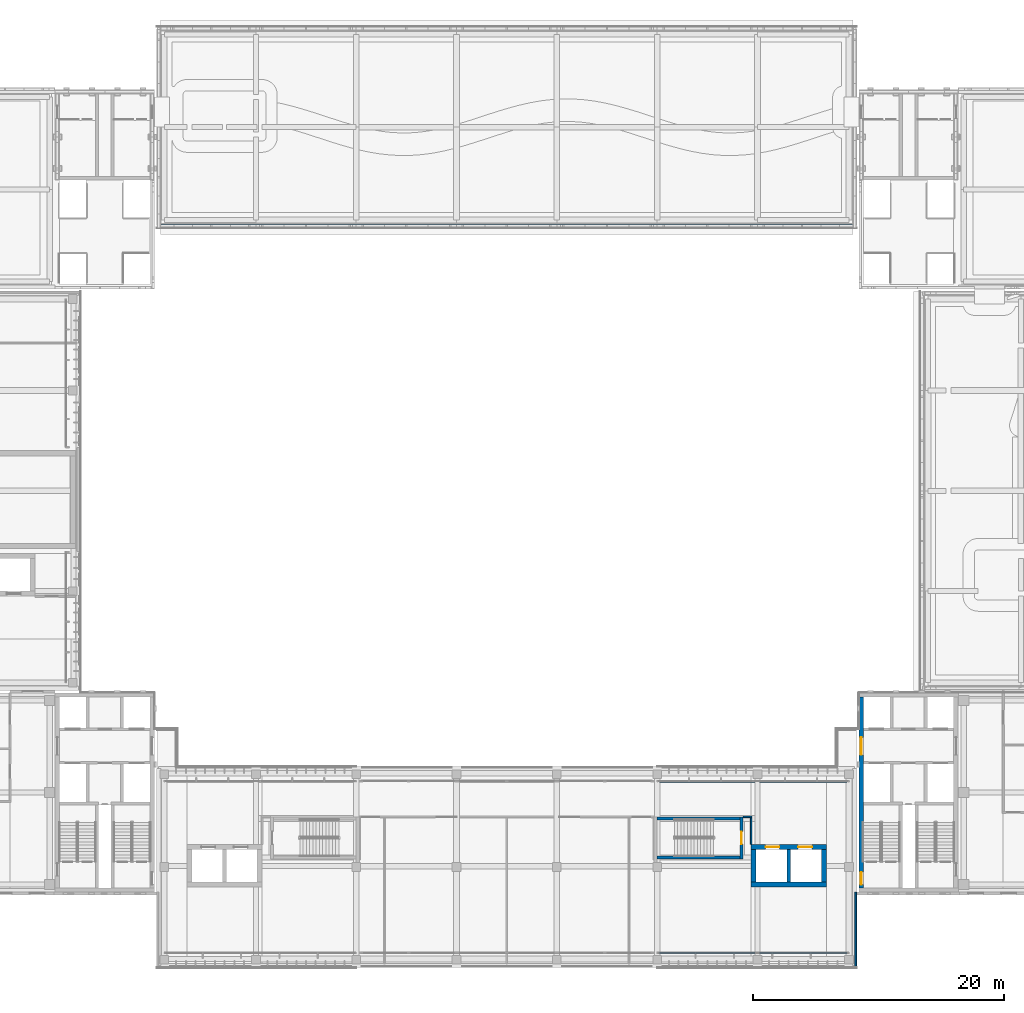
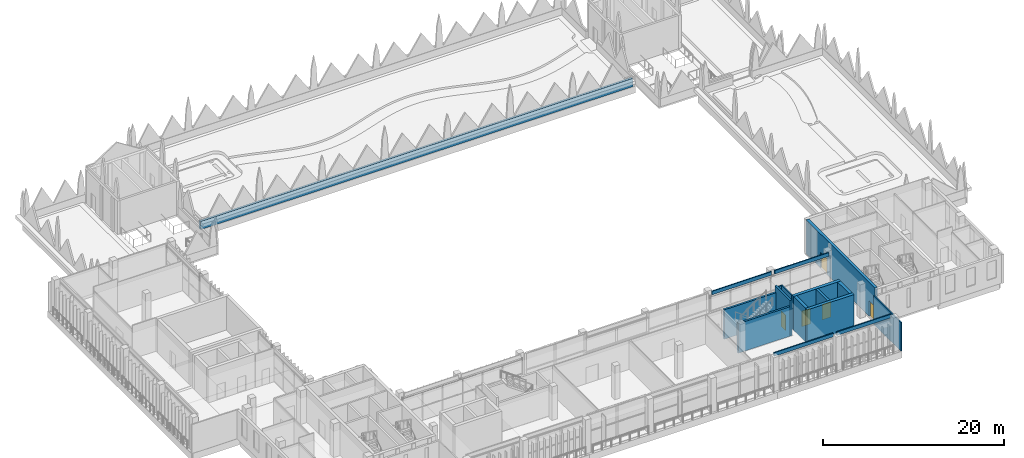
# One storey, part 25 of 46: 17 walls, 5 doors, 5 openings.
"""IFC4 building model written with IfcOpenShell, lengths in metres."""

import ifcopenshell
import ifcopenshell.guid

model = None  # the IFC model being written
_history = None  # IfcOwnerHistory: only IFC2X3 demands one
_inside = {}  # id of a spatial element -> (the spatial element, [elements in it])
_under = {}  # id of a project, library or spatial element -> (it, [spatial elements below it])
_declared = {}  # id of a project -> (the project, [libraries it declares])
_typed = {}  # id of a type object -> (the type object, [elements of that type])
_made_of = {}  # id of a material, layer set ... -> (it, [elements and type objects made of it])


def new_model(schema):
    """Start an empty IFC model of exactly this schema.

    Asked for "IFC4X3", IfcOpenShell would pick the latest addendum, in which some entities
    have other attributes; the version numbers below select the first issue.
    IFC2X3 requires an IfcOwnerHistory on every rooted entity: one is made here for all.
    """
    global model, _history
    if schema == "IFC4X3":
        model = ifcopenshell.file(schema_version=(4, 3, 0, 0))
    else:
        model = ifcopenshell.file(schema=schema)
    _inside.clear()
    _under.clear()
    _declared.clear()
    _typed.clear()
    _made_of.clear()
    _history = None
    if model.schema == "IFC2X3":
        org = make("IfcOrganization", Name="unknown")
        user = make(
            "IfcPersonAndOrganization",
            ThePerson=make("IfcPerson", FamilyName="unknown"),
            TheOrganization=org,
        )
        app = make(
            "IfcApplication",
            ApplicationDeveloper=org,
            Version="unknown",
            ApplicationFullName="unknown",
            ApplicationIdentifier="unknown",
        )
        _history = make(
            "IfcOwnerHistory",
            OwningUser=user,
            OwningApplication=app,
            ChangeAction="ADDED",
            CreationDate=0,
        )
    return model


def make(cls, **values):
    """One entity of the class cls with the attributes given. An attribute that is None is left unset."""
    return model.create_entity(
        cls, **{name: value for name, value in values.items() if value is not None}
    )


def rooted(cls, **values):
    """An entity with a GlobalId (a new one), such as an element, a storey or a relation."""
    return make(cls, GlobalId=ifcopenshell.guid.new(), OwnerHistory=_history, **values)


def si_unit(unit_type, name, prefix=None):
    """IfcSIUnit, for example si_unit("LENGTHUNIT", "METRE", prefix="MILLI")."""
    return make("IfcSIUnit", UnitType=unit_type, Prefix=prefix, Name=name)


def assignment(units):
    """IfcUnitAssignment: the units of a project."""
    return None if units is None else make("IfcUnitAssignment", Units=units)


def point(xyz):
    """IfcCartesianPoint."""
    return None if xyz is None else make("IfcCartesianPoint", Coordinates=xyz)


def direction(xyz):
    """IfcDirection."""
    return None if xyz is None else make("IfcDirection", DirectionRatios=xyz)


def frame(location, z_axis=None, x_axis=None):
    """IfcAxis2Placement3D, a coordinate frame: its origin and axes. An axis left out is left unset."""
    return make(
        "IfcAxis2Placement3D",
        Location=point(location),
        Axis=direction(z_axis),
        RefDirection=direction(x_axis),
    )


def frame_2d(location, x_axis=None):
    """IfcAxis2Placement2D, a coordinate frame in the plane: its origin and x axis."""
    return make(
        "IfcAxis2Placement2D", Location=point(location), RefDirection=direction(x_axis)
    )


def origin():
    """The frame at (0, 0, 0) with its axes left unset."""
    return frame((0.0, 0.0, 0.0))


def place(relative_to, where):
    """IfcLocalPlacement: puts the frame where relative to a parent placement (None: the world)."""
    return make(
        "IfcLocalPlacement", PlacementRelTo=relative_to, RelativePlacement=where
    )


def context(
    kind, dimensions, precision=None, world=None, true_north=None, identifier=None
):
    """IfcGeometricRepresentationContext, for example the 3D "Model" context."""
    return make(
        "IfcGeometricRepresentationContext",
        ContextIdentifier=identifier,
        ContextType=kind,
        CoordinateSpaceDimension=dimensions,
        Precision=precision,
        WorldCoordinateSystem=world,
        TrueNorth=true_north,
    )


def subcontext(parent, identifier, kind, view, scale=None):
    """IfcGeometricRepresentationSubContext, for example "Body" below "Model"."""
    return make(
        "IfcGeometricRepresentationSubContext",
        ContextIdentifier=identifier,
        ContextType=kind,
        ParentContext=parent,
        TargetScale=scale,
        TargetView=view,
    )


def project(units=None, contexts=None):
    """IfcProject with its units and contexts."""
    return rooted(
        "IfcProject",
        Name="project",
        RepresentationContexts=contexts,
        UnitsInContext=assignment(units),
    )


def spatial(cls, under=None, at=None, **own):
    """A site, building, storey or space (cls), placed at a placement, below another one or the project."""
    s = rooted(cls, ObjectPlacement=at, **own)
    if under is not None:
        _under.setdefault(under.id(), (under, []))[1].append(s)
    return s


def profile(cls, at=None, kind="AREA", **sizes):
    """A parametric profile (cls). Its sizes go by their IFC names, for example OverallWidth=200.0."""
    return make(cls, ProfileType=kind, Position=at, **sizes)


def rectangle(**sizes):
    """IfcRectangleProfileDef."""
    return profile("IfcRectangleProfileDef", **sizes)


def extrude(swept, where, along, depth):
    """IfcExtrudedAreaSolid: the profile swept, set in the frame where, extruded along a direction by depth."""
    return make(
        "IfcExtrudedAreaSolid",
        SweptArea=swept,
        Position=where,
        ExtrudedDirection=direction(along),
        Depth=depth,
    )


def shape(context_of_items, identifier, shape_type, items):
    """IfcShapeRepresentation: the items that make up one representation, for example the "Body"."""
    return make(
        "IfcShapeRepresentation",
        ContextOfItems=context_of_items,
        RepresentationIdentifier=identifier,
        RepresentationType=shape_type,
        Items=items,
    )


def material(Name=None, Category=None):
    """IfcMaterial."""
    return make("IfcMaterial", Name=Name, Category=Category)


def layer(
    of_material, thickness, ventilated=None, Name=None, Category=None, Priority=None
):
    """IfcMaterialLayer: one layer of a wall or slab, of a material (None: an air gap)."""
    return make(
        "IfcMaterialLayer",
        Material=of_material,
        LayerThickness=thickness,
        IsVentilated=ventilated,
        Name=Name,
        Category=Category,
        Priority=Priority,
    )


def layer_set(layers, Name=None):
    """IfcMaterialLayerSet."""
    return make("IfcMaterialLayerSet", MaterialLayers=layers, LayerSetName=Name)


def made_of(thing, what):
    """Note that an element or type object is made of a material, layer set ...; save() writes the relation."""
    if what is not None:
        _made_of.setdefault(what.id(), (what, []))[1].append(thing)
    return thing


def type_object(cls, material=None, **own):
    """A type object (cls), such as IfcWallType, which elements share."""
    return made_of(rooted(cls, **own), material)


def element(
    cls,
    number,
    at=None,
    inside=None,
    cuts=None,
    type_object=None,
    material=None,
    context=None,
    identifier="Body",
    shape_type=None,
    held_by="IfcProductDefinitionShape",
    body=None,
    shapes=None,
    **own,
):
    """One element of the class cls, such as IfcWall. Its Tag is "e" and its number.

    at: its placement. inside: the storey or other place that contains it. cuts: it is an
    opening in that element (IfcRelVoidsElement). A single representation is given by context,
    identifier, shape_type and body (its items); several are given by shapes. held_by: the class
    of the entity that holds the representations. save() writes the other relations.
    """
    e = rooted(cls, Tag="e%d" % number, ObjectPlacement=at, **own)
    if body is not None:
        shapes = [shape(context, identifier, shape_type, body)]
    if shapes is not None:
        e.Representation = make(held_by, Representations=shapes)
    if inside is not None:
        _inside.setdefault(inside.id(), (inside, []))[1].append(e)
    if cuts is not None:
        rooted(
            "IfcRelVoidsElement", RelatingBuildingElement=cuts, RelatedOpeningElement=e
        )
    if type_object is not None:
        _typed.setdefault(type_object.id(), (type_object, []))[1].append(e)
    return made_of(e, material)


def fill(opening, filler):
    """IfcRelFillsElement: the door or window that sits in an opening."""
    return rooted(
        "IfcRelFillsElement",
        RelatingOpeningElement=opening,
        RelatedBuildingElement=filler,
    )


def aggregate(whole, parts):
    """IfcRelAggregates: a whole, such as a stair, and the parts it consists of."""
    return rooted("IfcRelAggregates", RelatingObject=whole, RelatedObjects=parts)


def save(model, path):
    """Write the relations noted so far, then the file.

    IfcRelAggregates (storeys below a building ...), IfcRelContainedInSpatialStructure (elements
    in a storey), IfcRelDefinesByType, IfcRelAssociatesMaterial and IfcRelDeclares: one each for
    every whole, place, type object, material and project.
    """
    for whole, parts in _under.values():
        aggregate(whole, parts)
    for where, things in _inside.values():
        rooted(
            "IfcRelContainedInSpatialStructure",
            RelatedElements=things,
            RelatingStructure=where,
        )
    for kind, things in _typed.values():
        rooted("IfcRelDefinesByType", RelatedObjects=things, RelatingType=kind)
    for what, things in _made_of.values():
        rooted("IfcRelAssociatesMaterial", RelatedObjects=things, RelatingMaterial=what)
    for by, libraries in _declared.values():
        rooted("IfcRelDeclares", RelatingContext=by, RelatedDefinitions=libraries)
    model.write(path)


model = new_model("IFC4")

# Units and contexts
model_context = context("Model", 3, precision=1e-05, world=origin(), true_north=direction((0.0, 1.0)))
body_context = subcontext(model_context, "Body", "Model", "MODEL_VIEW")
ifc_project = project(units=[si_unit("LENGTHUNIT", "METRE"), si_unit("AREAUNIT", "SQUARE_METRE"), si_unit("VOLUMEUNIT", "CUBIC_METRE"), si_unit("PLANEANGLEUNIT", "RADIAN"), si_unit("MASSUNIT", "GRAM", prefix="KILO")], contexts=[model_context])

# Site, building, storey
site_placement = place(None, origin())
site = spatial("IfcSite", under=ifc_project, at=site_placement, CompositionType="ELEMENT")
building_placement = place(site_placement, origin())
building = spatial("IfcBuilding", under=site, at=building_placement, Name="Lantern Court Media Centre", CompositionType="ELEMENT")
storey_placement = place(building_placement, frame((0.0, 0.0, 28.800048828125)))
storey = spatial("IfcBuildingStorey", under=building, at=storey_placement, Name="L06", CompositionType="ELEMENT", Elevation=28.800048828125)

# Walls
ifc_material_1 = material(Name="Gypsum board partition")
ifc_layer_1 = layer(ifc_material_1, 0.125)
ifc_layer_set_1 = layer_set([ifc_layer_1], Name="Gypsum board partition")
wall_type_1 = type_object("IfcWallType", Name="Corridor partition 125", PredefinedType="PARTITIONING", material=ifc_layer_set_1)
wall_1_placement = place(storey_placement, frame((71.5, 51.800048828125, 0.0), z_axis=(0.0, 0.0, 1.0), x_axis=(0.0, 1.0, 0.0)))
element("IfcWall", 1, at=wall_1_placement, inside=storey, type_object=wall_type_1, Name="L06 partition 001", PredefinedType="PARTITIONING", context=body_context, shape_type="SweptSolid", body=[
    extrude(rectangle(XDim=2.137451171875, YDim=0.125, at=frame_2d((1.06884765625, 0.0))), origin(), (0.0, 0.0, 1.0), 4.56005859375),
])
wall_2_placement = place(storey_placement, frame((70.85009765625, 54.0, 0.0), z_axis=(0.0, 0.0, 1.0), x_axis=(1.0, 0.0, 0.0)))
element("IfcWall", 2, at=wall_2_placement, inside=storey, type_object=wall_type_1, Name="L06 partition 005", PredefinedType="PARTITIONING", context=body_context, shape_type="SweptSolid", body=[
    extrude(rectangle(XDim=0.71240234375, YDim=0.125, at=frame_2d((0.356201171875, 0.0))), origin(), (0.0, 0.0, 1.0), 4.56005859375),
])
ifc_material_2 = material(Name="Insulated rendered blockwork", Category="masonry")
ifc_layer_2 = layer(ifc_material_2, 0.14990234375)
ifc_layer_set_2 = layer_set([ifc_layer_2], Name="Insulated rendered blockwork")
wall_type_2 = type_object("IfcWallType", Name="Head infill wall 150", PredefinedType="SOLIDWALL", material=ifc_layer_set_2)
wall_3_placement = place(storey_placement, frame((64.199951171875, 43.14990234375, 4.099853515625), z_axis=(0.0, 0.0, 1.0), x_axis=(1.0, 0.0, 0.0)))
element("IfcWall", 3, at=wall_3_placement, inside=storey, type_object=wall_type_2, Name="Head infill wall S outer L06", PredefinedType="SOLIDWALL", context=body_context, shape_type="SweptSolid", body=[
    extrude(rectangle(XDim=7.60009765625, YDim=0.14990234375, at=frame_2d((3.800048828125, 0.0))), origin(), (0.0, 0.0, 1.0), 0.47998046875),
])
wall_4_placement = place(storey_placement, frame((72.199951171875, 43.14990234375, 4.099853515625), z_axis=(0.0, 0.0, 1.0), x_axis=(1.0, 0.0, 0.0)))
element("IfcWall", 4, at=wall_4_placement, inside=storey, type_object=wall_type_2, Name="Head infill wall S outer L06", PredefinedType="SOLIDWALL", context=body_context, shape_type="SweptSolid", body=[
    extrude(rectangle(XDim=6.900146484375, YDim=0.14990234375, at=frame_2d((3.4501953125, 0.0))), origin(), (0.0, 0.0, 1.0), 0.47998046875),
])
wall_5_placement = place(storey_placement, frame((64.199951171875, 56.85009765625, 4.099853515625), z_axis=(0.0, 0.0, 1.0), x_axis=(1.0, 0.0, 0.0)))
element("IfcWall", 5, at=wall_5_placement, inside=storey, type_object=wall_type_2, Name="Head infill wall S inner L06", PredefinedType="SOLIDWALL", context=body_context, shape_type="SweptSolid", body=[
    extrude(rectangle(XDim=7.60009765625, YDim=0.14990234375, at=frame_2d((3.800048828125, 0.0))), origin(), (0.0, 0.0, 1.0), 0.47998046875),
])
wall_6_placement = place(storey_placement, frame((72.199951171875, 56.85009765625, 4.099853515625), z_axis=(0.0, 0.0, 1.0), x_axis=(1.0, 0.0, 0.0)))
element("IfcWall", 6, at=wall_6_placement, inside=storey, type_object=wall_type_2, Name="Head infill wall S inner L06", PredefinedType="SOLIDWALL", context=body_context, shape_type="SweptSolid", body=[
    extrude(rectangle(XDim=6.900146484375, YDim=0.14990234375, at=frame_2d((3.4501953125, 0.0))), origin(), (0.0, 0.0, 1.0), 0.47998046875),
])
ifc_material_3 = material(Name="Honed limestone cladding on blockwork", Category="masonry")
ifc_layer_3 = layer(ifc_material_3, 0.139892578125)
ifc_layer_set_3 = layer_set([ifc_layer_3], Name="Honed limestone cladding on blockwork")
wall_type_3 = type_object("IfcWallType", Name="Limestone closure wall 140", PredefinedType="SOLIDWALL", material=ifc_layer_set_3)
wall_7_placement = place(storey_placement, frame((79.830078125, 42.0, 0.0), z_axis=(0.0, 0.0, 1.0), x_axis=(0.0, 1.0, 0.0)))
element("IfcWall", 7, at=wall_7_placement, inside=storey, type_object=wall_type_3, Name="Limestone closure wall S-SE L06", PredefinedType="SOLIDWALL", context=body_context, shape_type="SweptSolid", body=[
    extrude(rectangle(XDim=6.0, YDim=0.139892578125, at=frame_2d((3.0, 0.0))), origin(), (0.0, 0.0, 1.0), 3.89990234375),
])

# Wall, openings, doors
ifc_material_4 = material(Name="Concrete C40", Category="concrete")
ifc_layer_4 = layer(ifc_material_4, 0.35009765625)
ifc_layer_set_4 = layer_set([ifc_layer_4], Name="Concrete C40")
wall_type_4 = type_object("IfcWallType", Name="RC CORE WALL 350", PredefinedType="SHEAR", material=ifc_layer_set_4)
wall_8_placement = place(storey_placement, frame((80.27490234375, 48.35009765625, 0.0), z_axis=(0.0, 0.0, 1.0), x_axis=(0.0, 1.0, 0.0)))
wall_8 = element("IfcWall", 8, at=wall_8_placement, inside=storey, type_object=wall_type_4, Name="WC-SE-L06-W", PredefinedType="SHEAR", context=body_context, shape_type="SweptSolid", body=[
    extrude(rectangle(XDim=15.199951171875, YDim=0.35009765625, at=frame_2d((7.60009765625, 0.0))), origin(), (0.0, 0.0, 1.0), 4.579833984375),
])
opening_1_placement = place(wall_8_placement, frame((0.25, 0.0, 0.0)))
opening_1 = element("IfcOpeningElement", 9, at=opening_1_placement, cuts=wall_8, Name="Opening SE-L06-02", PredefinedType="OPENING", context=body_context, shape_type="SweptSolid", body=[
    extrude(rectangle(XDim=1.0, YDim=2.10009765625, at=frame_2d((0.5, 1.050048828125))), frame((0.0, 0.18505859375, 0.0), z_axis=(0.0, -1.0, 0.0), x_axis=(1.0, 0.0, 0.0)), (0.0, 0.0, 1.0), 0.3701171875),
])
opening_2_placement = place(wall_8_placement, frame((10.60009765625, 0.0, 0.0)))
opening_2 = element("IfcOpeningElement", 10, at=opening_2_placement, cuts=wall_8, Name="Opening SE-L06-06", PredefinedType="OPENING", context=body_context, shape_type="SweptSolid", body=[
    extrude(rectangle(XDim=1.39990234375, YDim=2.10009765625, at=frame_2d((0.699951171875, 1.050048828125))), frame((0.0, 0.18505859375, 0.0), z_axis=(0.0, -1.0, 0.0), x_axis=(1.0, 0.0, 0.0)), (0.0, 0.0, 1.0), 0.3701171875),
])
ifc_material_5 = material(Name="Steel door leaf", Category="steel")
door_type_1 = type_object("IfcDoorType", Name="Lift lobby double door 1400x2100", OperationType="NOTDEFINED", PredefinedType="DOOR", material=ifc_material_5)
door_1_placement = place(opening_2_placement, origin())
door_1 = element("IfcDoor", 11, at=door_1_placement, inside=storey, type_object=door_type_1, Name="L06 SE lift lobby east door", OperationType="SINGLE_SWING_LEFT", OverallHeight=2.10009765625, OverallWidth=1.39990234375, PredefinedType="DOOR", context=body_context, shape_type="SweptSolid", body=[
    extrude(rectangle(XDim=1.39990234375, YDim=2.10009765625, at=frame_2d((0.699951171875, 1.050048828125))), frame((0.0, 0.02490234375, 0.0), z_axis=(0.0, -1.0, 0.0), x_axis=(1.0, 0.0, 0.0)), (0.0, 0.0, 1.0), 0.050048828125),
])
fill(opening_2, door_1)
door_type_2 = type_object("IfcDoorType", Name="Stair door 1000x2100", OperationType="NOTDEFINED", PredefinedType="DOOR", material=ifc_material_5)
door_2_placement = place(opening_1_placement, origin())
door_2 = element("IfcDoor", 12, at=door_2_placement, inside=storey, type_object=door_type_2, Name="L06 SE stair B door", OperationType="SINGLE_SWING_LEFT", OverallHeight=2.10009765625, OverallWidth=1.0, PredefinedType="DOOR", context=body_context, shape_type="SweptSolid", body=[
    extrude(rectangle(XDim=1.0, YDim=2.10009765625, at=frame_2d((0.5, 1.050048828125))), frame((0.0, 0.02490234375, 0.0), z_axis=(0.0, -1.0, 0.0), x_axis=(1.0, 0.0, 0.0)), (0.0, 0.0, 1.0), 0.050048828125),
])
fill(opening_1, door_2)

# Walls
ifc_layer_5 = layer(ifc_material_4, 0.300048828125)
ifc_layer_set_5 = layer_set([ifc_layer_5], Name="Concrete C40")
wall_type_5 = type_object("IfcWallType", Name="RC SHEAR WALL 300", PredefinedType="SHEAR", material=ifc_layer_set_5)
wall_9_placement = place(storey_placement, frame((74.5, 48.800048828125, 0.0), z_axis=(0.0, 0.0, 1.0), x_axis=(0.0, 1.0, 0.0)))
element("IfcWall", 13, at=wall_9_placement, inside=storey, type_object=wall_type_5, Name="WB-S-LC2-L06-D", PredefinedType="SHEAR", context=body_context, shape_type="SweptSolid", body=[
    extrude(rectangle(XDim=2.599853515625, YDim=0.300048828125, at=frame_2d((1.2998046875, 0.0))), origin(), (0.0, 0.0, 1.0), 4.579833984375),
])
ifc_layer_6 = layer(ifc_material_4, 0.39990234375)
ifc_layer_set_6 = layer_set([ifc_layer_6], Name="Concrete C40")
wall_type_6 = type_object("IfcWallType", Name="RC SHEAR WALL 400", PredefinedType="SHEAR", material=ifc_layer_set_6)
wall_10_placement = place(storey_placement, frame((71.5, 48.60009765625, 0.0), z_axis=(0.0, 0.0, 1.0), x_axis=(1.0, 0.0, 0.0)))
element("IfcWall", 14, at=wall_10_placement, inside=storey, type_object=wall_type_6, Name="WB-S-LC2-L06-S", PredefinedType="SHEAR", context=body_context, shape_type="SweptSolid", body=[
    extrude(rectangle(XDim=6.0, YDim=0.39990234375, at=frame_2d((3.0, 0.0))), origin(), (0.0, 0.0, 1.0), 4.579833984375),
])

# Wall, openings, doors
wall_11_placement = place(storey_placement, frame((71.5, 51.60009765625, 0.0), z_axis=(0.0, 0.0, 1.0), x_axis=(1.0, 0.0, 0.0)))
wall_11 = element("IfcWall", 15, at=wall_11_placement, inside=storey, type_object=wall_type_6, Name="WB-S-LC2-L06-N", PredefinedType="SHEAR", context=body_context, shape_type="SweptSolid", body=[
    extrude(rectangle(XDim=6.0, YDim=0.39990234375, at=frame_2d((3.0, 0.0))), origin(), (0.0, 0.0, 1.0), 4.579833984375),
])
opening_3_placement = place(wall_11_placement, frame((1.14990234375, 0.0, 0.0)))
opening_3 = element("IfcOpeningElement", 16, at=opening_3_placement, cuts=wall_11, Name="Opening LD-S-LC2P-L06", PredefinedType="OPENING", context=body_context, shape_type="SweptSolid", body=[
    extrude(rectangle(XDim=1.10009765625, YDim=2.10009765625, at=frame_2d((0.550048828125, 1.050048828125))), frame((0.0, 0.2099609375, 0.0), z_axis=(0.0, -1.0, 0.0), x_axis=(1.0, 0.0, 0.0)), (0.0, 0.0, 1.0), 0.419921875),
])
opening_4_placement = place(wall_11_placement, frame((3.75, 0.0, 0.0)))
opening_4 = element("IfcOpeningElement", 17, at=opening_4_placement, cuts=wall_11, Name="Opening LD-S-LC2S-L06", PredefinedType="OPENING", context=body_context, shape_type="SweptSolid", body=[
    extrude(rectangle(XDim=1.10009765625, YDim=2.10009765625, at=frame_2d((0.550048828125, 1.050048828125))), frame((0.0, 0.2099609375, 0.0), z_axis=(0.0, -1.0, 0.0), x_axis=(1.0, 0.0, 0.0)), (0.0, 0.0, 1.0), 0.419921875),
])
door_type_3 = type_object("IfcDoorType", Name="Lift landing door 1100x2100", OperationType="DOUBLE_DOOR_SLIDING", PredefinedType="DOOR", material=ifc_material_5)
door_3_placement = place(opening_3_placement, origin())
door_3 = element("IfcDoor", 18, at=door_3_placement, inside=storey, type_object=door_type_3, Name="L06 S-LC2 passenger lift landing door", OperationType="DOUBLE_DOOR_SLIDING", OverallHeight=2.10009765625, OverallWidth=1.10009765625, PredefinedType="DOOR", context=body_context, shape_type="SweptSolid", body=[
    extrude(rectangle(XDim=1.10009765625, YDim=2.10009765625, at=frame_2d((0.550048828125, 1.050048828125))), frame((0.0, 0.02490234375, 0.0), z_axis=(0.0, -1.0, 0.0), x_axis=(1.0, 0.0, 0.0)), (0.0, 0.0, 1.0), 0.050048828125),
])
fill(opening_3, door_3)
door_4_placement = place(opening_4_placement, origin())
door_4 = element("IfcDoor", 19, at=door_4_placement, inside=storey, type_object=door_type_3, Name="L06 S-LC2 service lift landing door", OperationType="DOUBLE_DOOR_SLIDING", OverallHeight=2.10009765625, OverallWidth=1.10009765625, PredefinedType="DOOR", context=body_context, shape_type="SweptSolid", body=[
    extrude(rectangle(XDim=1.10009765625, YDim=2.10009765625, at=frame_2d((0.550048828125, 1.050048828125))), frame((0.0, 0.02490234375, 0.0), z_axis=(0.0, -1.0, 0.0), x_axis=(1.0, 0.0, 0.0)), (0.0, 0.0, 1.0), 0.050048828125),
])
fill(opening_4, door_4)

# Walls
for number, where, z_axis, x_axis, name in (
    (20, (71.699951171875, 48.800048828125, 0.0), (0.0, 0.0, 1.0), (0.0, 1.0, 0.0), "WB-S-LC2-L06-W"),
    (21, (77.300048828125, 48.800048828125, 0.0), (0.0, 0.0, 1.0), (0.0, 1.0, 0.0), "WB-S-LC2-L06-E"),
):
    element("IfcWall", number, at=place(storey_placement, frame(where, z_axis=z_axis, x_axis=x_axis)), inside=storey, type_object=wall_type_6, Name=name, PredefinedType="SHEAR", context=body_context, shape_type="SweptSolid", body=[
        extrude(rectangle(XDim=2.599853515625, YDim=0.39990234375, at=frame_2d((1.2998046875, 0.0))), origin(), (0.0, 0.0, 1.0), 4.579833984375),
    ])

# Wall, opening, door
ifc_layer_7 = layer(ifc_material_4, 0.25)
ifc_layer_set_7 = layer_set([ifc_layer_7], Name="Concrete C40")
wall_type_7 = type_object("IfcWallType", Name="RC stair shaft wall 250", PredefinedType="SOLIDWALL", material=ifc_layer_set_7)
wall_12_placement = place(storey_placement, frame((70.72509765625, 50.64990234375, 0.0), z_axis=(0.0, 0.0, 1.0), x_axis=(0.0, 1.0, 0.0)))
wall_12 = element("IfcWall", 22, at=wall_12_placement, inside=storey, type_object=wall_type_7, Name="L06 V3-ST-E shaft wall E", PredefinedType="SOLIDWALL", context=body_context, shape_type="SweptSolid", body=[
    extrude(rectangle(XDim=3.35009765625, YDim=0.25, at=frame_2d((1.675048828125, 0.0))), origin(), (0.0, 0.0, 1.0), 4.800048828125),
])
opening_5_placement = place(wall_12_placement, frame((1.175048828125, 0.0, 0.0)))
opening_5 = element("IfcOpeningElement", 23, at=opening_5_placement, cuts=wall_12, Name="Opening V3-ST-E-L06-01", PredefinedType="OPENING", context=body_context, shape_type="SweptSolid", body=[
    extrude(rectangle(XDim=1.0, YDim=2.10009765625, at=frame_2d((0.5, 1.050048828125))), frame((0.0, 0.135009765625, 0.0), z_axis=(0.0, -1.0, 0.0), x_axis=(1.0, 0.0, 0.0)), (0.0, 0.0, 1.0), 0.27001953125),
])
door_5_placement = place(opening_5_placement, frame((1.0, 0.0, 0.0), z_axis=(0.0, 0.0, 1.0), x_axis=(-1.0, 0.0, 0.0)))
door_5 = element("IfcDoor", 24, at=door_5_placement, inside=storey, type_object=door_type_2, Name="L06 V3-ST-E stair door", OperationType="SINGLE_SWING_LEFT", OverallHeight=2.10009765625, OverallWidth=1.0, PredefinedType="DOOR", context=body_context, shape_type="SweptSolid", body=[
    extrude(rectangle(XDim=1.0, YDim=2.10009765625, at=frame_2d((0.5, 1.050048828125))), frame((0.0, 0.02490234375, 0.0), z_axis=(0.0, -1.0, 0.0), x_axis=(1.0, 0.0, 0.0)), (0.0, 0.0, 1.0), 0.050048828125),
])
fill(opening_5, door_5)

# Walls
for number, where, z_axis, x_axis, name in (
    (25, (64.0, 50.77490234375, 0.0), (0.0, 0.0, 1.0), (1.0, 0.0, 0.0), "L06 V3-ST-E shaft wall S"),
    (26, (64.0, 53.875, 0.0), (0.0, 0.0, 1.0), (1.0, 0.0, 0.0), "L06 V3-ST-E shaft wall N"),
):
    element("IfcWall", number, at=place(storey_placement, frame(where, z_axis=z_axis, x_axis=x_axis)), inside=storey, type_object=wall_type_7, Name=name, PredefinedType="SOLIDWALL", context=body_context, shape_type="SweptSolid", body=[
        extrude(rectangle(XDim=6.60009765625, YDim=0.25, at=frame_2d((3.300048828125, 0.0))), origin(), (0.0, 0.0, 1.0), 3.97998046875),
    ])
ifc_layer_8 = layer(ifc_material_2, 0.300048828125)
ifc_layer_set_8 = layer_set([ifc_layer_8], Name="Insulated rendered blockwork")
wall_type_8 = type_object("IfcWallType", Name="Roof parapet 300", PredefinedType="PARAPET", material=ifc_layer_set_8)
wall_13_placement = place(storey_placement, frame((24.39990234375, 101.14990234375, 0.0), z_axis=(0.0, 0.0, 1.0), x_axis=(1.0, 0.0, 0.0)))
element("IfcWall", 27, at=wall_13_placement, inside=storey, type_object=wall_type_8, Name="Roof parapet PP-N", PredefinedType="PARAPET", context=body_context, shape_type="SweptSolid", body=[
    extrude(rectangle(XDim=55.2001953125, YDim=0.300048828125, at=frame_2d((27.60009765625, 0.0))), origin(), (0.0, 0.0, 1.0), 1.099853515625),
])

save(model, "model.ifc")
